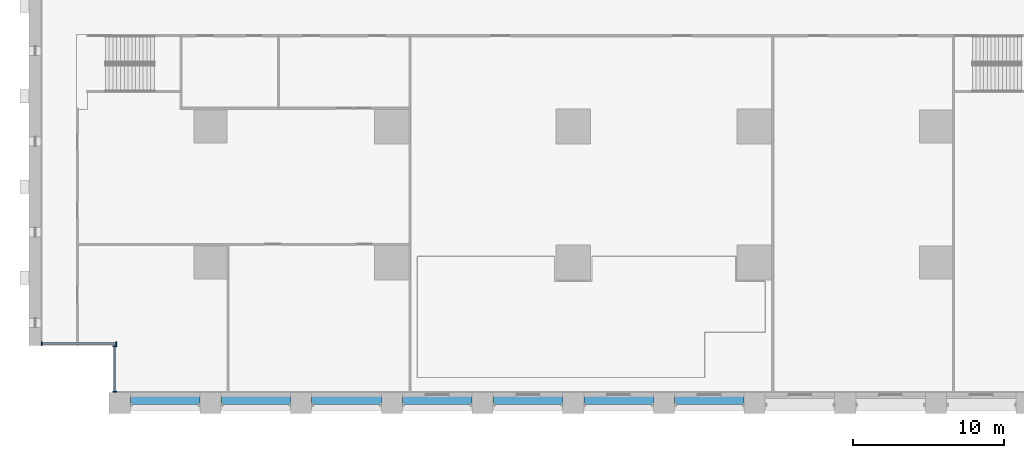
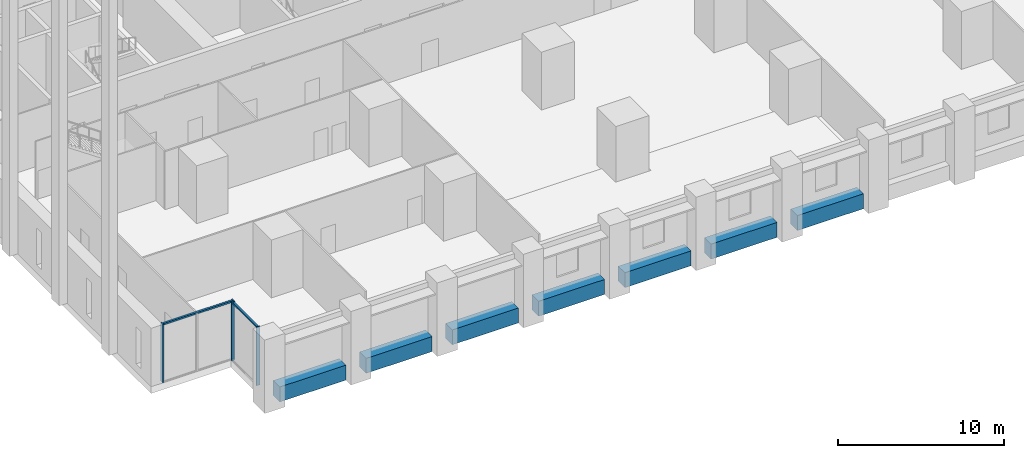
# One storey, part 2 of 17: 7 beams, 6 members, 2 elements without a shape of their own.
"""IFC4 building model written with IfcOpenShell, lengths in metres."""

from ifc_helpers import new_model, si_unit, direction, frame, origin, origin_2d, place, context, subcontext, project, spatial, rectangle, extrude, material, material_profile, profile_set, type_object, element, aggregate, save


model = new_model("IFC4")

# Units and contexts
model_context = context("Model", 3, precision=1e-05, world=origin(), true_north=direction((0.0, 1.0)))
body_context = subcontext(model_context, "Body", "Model", "MODEL_VIEW")
ifc_project = project(units=[si_unit("LENGTHUNIT", "METRE"), si_unit("AREAUNIT", "SQUARE_METRE"), si_unit("VOLUMEUNIT", "CUBIC_METRE"), si_unit("PLANEANGLEUNIT", "RADIAN"), si_unit("MASSUNIT", "GRAM", prefix="KILO")], contexts=[model_context])

# Site, building, storey
site_placement = place(None, origin())
site = spatial("IfcSite", under=ifc_project, at=site_placement, CompositionType="ELEMENT")
building_placement = place(site_placement, origin())
building = spatial("IfcBuilding", under=site, at=building_placement, Name="Calvaro Tower", CompositionType="ELEMENT")
storey_placement = place(building_placement, frame((0.0, 0.0, 6.5)))
storey = spatial("IfcBuildingStorey", under=building, at=storey_placement, Name="L01", CompositionType="ELEMENT", Elevation=6.5)

# Curtain wall, members
ifc_material_1 = material(Name="Anodised aluminium", Category="aluminium")
curtain_wall_type = type_object("IfcCurtainWallType", Name="Restaurant curtain wall", PredefinedType="NOTDEFINED", material=ifc_material_1)
curtain_wall_1_placement = place(storey_placement, origin())
curtain_wall_1 = element("IfcCurtainWall", 1, at=curtain_wall_1_placement, inside=storey, type_object=curtain_wall_type, Name="CW5 corner curtain wall", PredefinedType="NOTDEFINED")
ifc_material_2 = material(Name="Anodised aluminium", Category="aluminium")
ifc_material_profile_1 = material_profile(ifc_material_2, rectangle(XDim=0.25, YDim=0.080078125, at=origin_2d()), Name="Mullion PR 80 x 250")
ifc_profile_set_1 = profile_set([ifc_material_profile_1], Name="Anodised aluminium")
member_type_1 = type_object("IfcMemberType", Name="Mullion PR 80 x 250", PredefinedType="MULLION", material=ifc_profile_set_1)
member_1_placement = place(storey_placement, frame((5.675048828125, 1.43994140625, 0.0), z_axis=(0.0, 0.0, 1.0), x_axis=(-1.0, 0.0, 0.0)))
member_1 = element("IfcMember", 2, at=member_1_placement, type_object=member_type_1, Name="CW5 mullion 1", PredefinedType="MULLION", context=body_context, shape_type="SweptSolid", body=[
    extrude(rectangle(XDim=0.25, YDim=0.080078125, at=origin_2d()), origin(), (0.0, 0.0, 1.0), 4.300048828125),
])
member_2_placement = place(storey_placement, frame((5.675048828125, 4.4599609375, 0.0), z_axis=(0.0, 0.0, 1.0), x_axis=(-1.0, 0.0, 0.0)))
member_2 = element("IfcMember", 3, at=member_2_placement, type_object=member_type_1, Name="CW5 mullion 2", PredefinedType="MULLION", context=body_context, shape_type="SweptSolid", body=[
    extrude(rectangle(XDim=0.25, YDim=0.080078125, at=origin_2d()), origin(), (0.0, 0.0, 1.0), 4.300048828125),
])

curtain_wall_2_placement = place(storey_placement, origin())
curtain_wall_2 = element("IfcCurtainWall", 4, at=curtain_wall_2_placement, inside=storey, type_object=curtain_wall_type, Name="CW5 corner curtain wall", PredefinedType="NOTDEFINED")
member_3_placement = place(storey_placement, frame((0.840087890625, 4.625, 0.0), z_axis=(0.0, 0.0, 1.0), x_axis=(0.0, 1.0, 0.0)))
member_3 = element("IfcMember", 5, at=member_3_placement, type_object=member_type_1, Name="CW5 mullion 1", PredefinedType="MULLION", context=body_context, shape_type="SweptSolid", body=[
    extrude(rectangle(XDim=0.25, YDim=0.080078125, at=origin_2d()), origin(), (0.0, 0.0, 1.0), 4.300048828125),
])
member_4_placement = place(storey_placement, frame((5.760009765625, 4.625, 0.0), z_axis=(0.0, 0.0, 1.0), x_axis=(0.0, 1.0, 0.0)))
member_4 = element("IfcMember", 6, at=member_4_placement, type_object=member_type_1, Name="CW5 mullion 2", PredefinedType="MULLION", context=body_context, shape_type="SweptSolid", body=[
    extrude(rectangle(XDim=0.25, YDim=0.080078125, at=origin_2d()), origin(), (0.0, 0.0, 1.0), 4.300048828125),
])

# Beams
ifc_material_3 = material(Name="Concrete C50/60 precast", Category="concrete")
ifc_material_profile_2 = material_profile(ifc_material_3, rectangle(XDim=0.800048828125, YDim=1.10009765625, at=origin_2d()), Name="RC 800x1100")
ifc_profile_set_2 = profile_set([ifc_material_profile_2], Name="Concrete C50/60 precast")
beam_type = type_object("IfcBeamType", Name="Spandrel beam 800x1100 C50/60", PredefinedType="SPANDREL", material=ifc_profile_set_2)
for number, where, z_axis, x_axis, name in (
    (7, (6.699951171875, 1.0, -0.550048828125), (1.0, 0.0, 0.0), (0.0, 1.0, 0.0), "Spandrel beam"),
    (8, (12.699951171875, 1.0, -0.550048828125), (1.0, 0.0, 0.0), (0.0, 1.0, 0.0), "Spandrel beam"),
    (9, (18.699951171875, 1.0, -0.550048828125), (1.0, 0.0, 0.0), (0.0, 1.0, 0.0), "Spandrel beam"),
    (10, (24.699951171875, 1.0, -0.550048828125), (1.0, 0.0, 0.0), (0.0, 1.0, 0.0), "Spandrel beam"),
    (11, (30.699951171875, 1.0, -0.550048828125), (1.0, 0.0, 0.0), (0.0, 1.0, 0.0), "Spandrel beam"),
    (12, (36.699951171875, 1.0, -0.550048828125), (1.0, 0.0, 0.0), (0.0, 1.0, 0.0), "Spandrel beam"),
    (13, (42.699951171875, 1.0, -0.550048828125), (1.0, 0.0, 0.0), (0.0, 1.0, 0.0), "Spandrel beam"),
):
    element("IfcBeam", number, at=place(storey_placement, frame(where, z_axis=z_axis, x_axis=x_axis)), inside=storey, type_object=beam_type, Name=name, PredefinedType="SPANDREL", context=body_context, shape_type="SweptSolid", body=[
        extrude(rectangle(XDim=0.800048828125, YDim=1.10009765625, at=origin_2d()), origin(), (0.0, 0.0, 1.0), 4.60009765625),
    ])

# Member
ifc_material_4 = material(Name="Anodised aluminium", Category="aluminium")
ifc_material_profile_3 = material_profile(ifc_material_4, rectangle(XDim=0.139892578125, YDim=0.1201171875, at=origin_2d()), Name="Transom PR 120 x 140")
ifc_profile_set_3 = profile_set([ifc_material_profile_3], Name="Anodised aluminium")
member_type_2 = type_object("IfcMemberType", Name="Transom PR 120 x 140", PredefinedType="USERDEFINED", material=ifc_profile_set_3)
member_5_placement = place(storey_placement, frame((5.675048828125, 1.47998046875, 4.239990234375), z_axis=(0.0, 1.0, 0.0), x_axis=(-1.0, 0.0, 0.0)))
member_5 = element("IfcMember", 14, at=member_5_placement, type_object=member_type_2, Name="CW5 transom 1.1", ObjectType="TRANSOM", PredefinedType="USERDEFINED", context=body_context, shape_type="SweptSolid", body=[
    extrude(rectangle(XDim=0.139892578125, YDim=0.1201171875, at=origin_2d()), origin(), (0.0, 0.0, 1.0), 2.93994140625),
])

aggregate(curtain_wall_1, [member_1, member_2, member_5])

member_6_placement = place(storey_placement, frame((0.8798828125, 4.625, 4.239990234375), z_axis=(1.0, 0.0, 0.0), x_axis=(0.0, 1.0, 0.0)))
member_6 = element("IfcMember", 15, at=member_6_placement, type_object=member_type_2, Name="CW5 transom 1.1", ObjectType="TRANSOM", PredefinedType="USERDEFINED", context=body_context, shape_type="SweptSolid", body=[
    extrude(rectangle(XDim=0.139892578125, YDim=0.1201171875, at=origin_2d()), origin(), (0.0, 0.0, 1.0), 4.840087890625),
])

aggregate(curtain_wall_2, [member_3, member_4, member_6])

save(model, "model.ifc")
